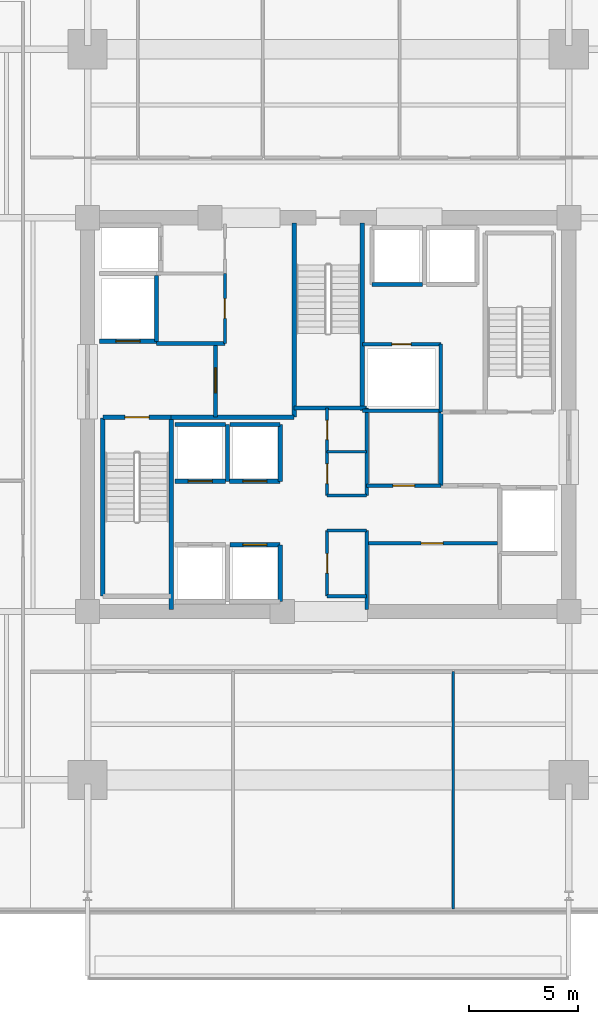
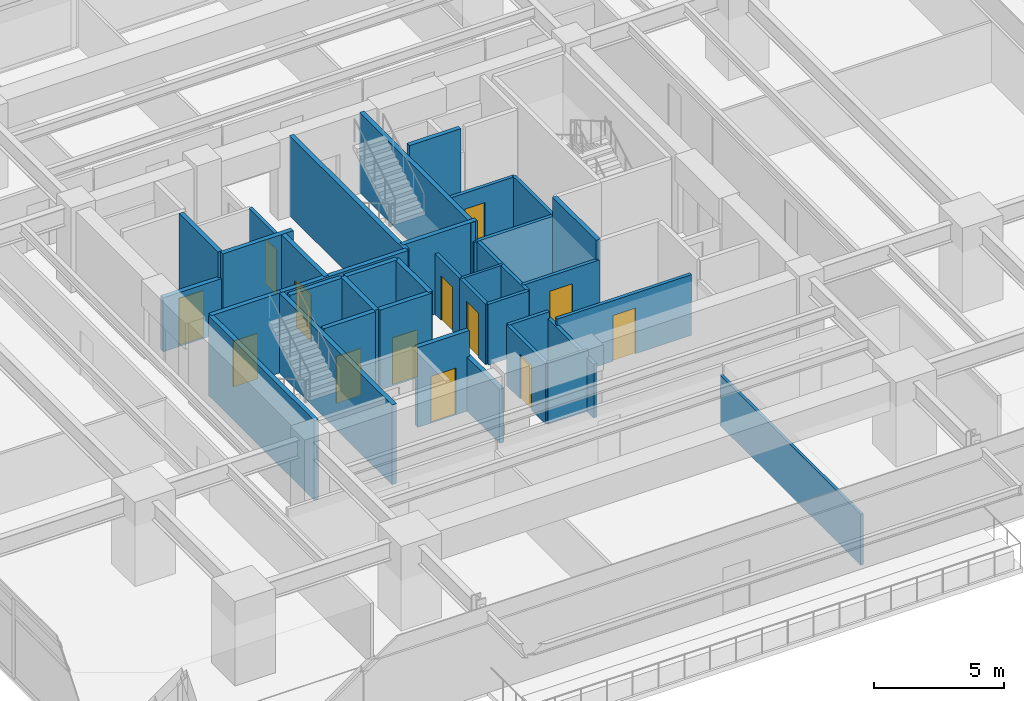
# One storey, part 16 of 23: 37 walls, 13 doors, 13 openings.
"""IFC4 building model written with IfcOpenShell, lengths in metres."""

from ifc_helpers import new_model, si_unit, direction, frame, frame_2d, origin, place, context, subcontext, project, spatial, rectangle, extrude, material, layer, layer_set, type_object, element, fill, save


model = new_model("IFC4")

# Units and contexts
model_context = context("Model", 3, precision=1e-05, world=origin(), true_north=direction((0.0, 1.0)))
body_context = subcontext(model_context, "Body", "Model", "MODEL_VIEW")
ifc_project = project(units=[si_unit("LENGTHUNIT", "METRE"), si_unit("AREAUNIT", "SQUARE_METRE"), si_unit("VOLUMEUNIT", "CUBIC_METRE"), si_unit("PLANEANGLEUNIT", "RADIAN"), si_unit("MASSUNIT", "GRAM", prefix="KILO")], contexts=[model_context])

# Site, building, storey
site_placement = place(None, origin())
site = spatial("IfcSite", under=ifc_project, at=site_placement, CompositionType="ELEMENT")
building_placement = place(site_placement, origin())
building = spatial("IfcBuilding", under=site, at=building_placement, Name="Kovane Verandah Tower", CompositionType="ELEMENT")
storey_placement = place(building_placement, frame((0.0, 0.0, 91.60009765625)))
storey = spatial("IfcBuildingStorey", under=building, at=storey_placement, Name="L21", CompositionType="ELEMENT", Elevation=91.60009765625)

# Walls
ifc_material_1 = material(Name="Fire-Rated Gypsum Stud Partition", Category="gypsum")
ifc_layer_1 = layer(ifc_material_1, 0.14990234375)
ifc_layer_set_1 = layer_set([ifc_layer_1], Name="Fire-Rated Gypsum Stud Partition")
wall_type_1 = type_object("IfcWallType", Name="WL-COR-150", PredefinedType="PARTITIONING", material=ifc_layer_set_1)
for number, where, z_axis, x_axis, name in (
    (1, (39.949951171875, 19.199951171875, 0.0), (0.0, 0.0, 1.0), (1.0, 0.0, 0.0), "L21 Central Core Strip South Wall"),
    (2, (39.949951171875, 22.199951171875, 0.0), (0.0, 0.0, 1.0), (1.0, 0.0, 0.0), "L21 Core Cross-Passage South Wall"),
    (3, (39.949951171875, 23.800048828125, 0.0), (0.0, 0.0, 1.0), (1.0, 0.0, 0.0), "L21 Core Cross-Passage North Wall"),
):
    element("IfcWall", number, at=place(storey_placement, frame(where, z_axis=z_axis, x_axis=x_axis)), inside=storey, type_object=wall_type_1, Name=name, PredefinedType="PARTITIONING", context=body_context, shape_type="SweptSolid", body=[
        extrude(rectangle(XDim=1.81005859375, YDim=0.14990234375, at=frame_2d((0.905029296875, 0.0))), origin(), (0.0, 0.0, 1.0), 2.849853515625),
    ])
wall_1_placement = place(storey_placement, frame((41.760009765625, 18.60009765625, 0.0), z_axis=(0.0, 0.0, 1.0), x_axis=(0.0, 1.0, 0.0)))
element("IfcWall", 4, at=wall_1_placement, inside=storey, type_object=wall_type_1, Name="L21 Central Core Strip Lower East Wall", PredefinedType="PARTITIONING", context=body_context, shape_type="SweptSolid", body=[
    extrude(rectangle(XDim=3.599853515625, YDim=0.14990234375, at=frame_2d((1.7998046875, 0.0))), origin(), (0.0, 0.0, 1.0), 2.539794921875),
])
wall_2_placement = place(storey_placement, frame((41.760009765625, 23.800048828125, 0.0), z_axis=(0.0, 0.0, 1.0), x_axis=(0.0, 1.0, 0.0)))
element("IfcWall", 5, at=wall_2_placement, inside=storey, type_object=wall_type_1, Name="L21 Central Core Strip Upper East Wall", PredefinedType="PARTITIONING", context=body_context, shape_type="SweptSolid", body=[
    extrude(rectangle(XDim=4.0, YDim=0.14990234375, at=frame_2d((2.0, 0.0))), origin(), (0.0, 0.0, 1.0), 2.849853515625),
])

# Wall, opening, door
wall_3_placement = place(storey_placement, frame((39.949951171875, 19.199951171875, 0.0), z_axis=(0.0, 0.0, 1.0), x_axis=(0.0, 1.0, 0.0)))
wall_3 = element("IfcWall", 6, at=wall_3_placement, inside=storey, type_object=wall_type_1, Name="L21 Male Toilet Partition", PredefinedType="PARTITIONING", context=body_context, shape_type="SweptSolid", body=[
    extrude(rectangle(XDim=3.0, YDim=0.14990234375, at=frame_2d((1.5, 0.0))), origin(), (0.0, 0.0, 1.0), 2.849853515625),
])
opening_1_placement = place(wall_3_placement, frame((1.050048828125, 0.0, 0.0)))
opening_1 = element("IfcOpeningElement", 7, at=opening_1_placement, cuts=wall_3, Name="Opening DR-L21-028", PredefinedType="OPENING", context=body_context, shape_type="SweptSolid", body=[
    extrude(rectangle(XDim=0.89990234375, YDim=2.10009765625, at=frame_2d((0.449951171875, 1.050048828125))), frame((0.0, 0.074951171875, 0.0), z_axis=(0.0, -1.0, 0.0), x_axis=(1.0, 0.0, 0.0)), (0.0, 0.0, 1.0), 0.14990234375),
])
ifc_material_2 = material(Name="Moisture-Resistant Laminate Washroom Door", Category="wood")
door_type_1 = type_object("IfcDoorType", Name="DR-WC-900", OperationType="SINGLE_SWING_LEFT", PredefinedType="DOOR", material=ifc_material_2)
door_1_placement = place(opening_1_placement, origin())
door_1 = element("IfcDoor", 8, at=door_1_placement, inside=storey, type_object=door_type_1, Name="L21 Male Toilet Door", OperationType="SINGLE_SWING_LEFT", OverallHeight=2.10009765625, OverallWidth=0.89990234375, PredefinedType="DOOR", context=body_context, shape_type="SweptSolid", body=[
    extrude(rectangle(XDim=0.89990234375, YDim=2.10009765625, at=frame_2d((0.449951171875, 1.050048828125))), frame((0.0, 0.02490234375, 0.0), z_axis=(0.0, -1.0, 0.0), x_axis=(1.0, 0.0, 0.0)), (0.0, 0.0, 1.0), 0.050048828125),
])
fill(opening_1, door_1)

wall_4_placement = place(storey_placement, frame((39.949951171875, 23.800048828125, 0.0), z_axis=(0.0, 0.0, 1.0), x_axis=(0.0, 1.0, 0.0)))
wall_4 = element("IfcWall", 9, at=wall_4_placement, inside=storey, type_object=wall_type_1, Name="L21 Female Toilet Partition", PredefinedType="PARTITIONING", context=body_context, shape_type="SweptSolid", body=[
    extrude(rectangle(XDim=2.0, YDim=0.14990234375, at=frame_2d((1.0, 0.0))), origin(), (0.0, 0.0, 1.0), 2.849853515625),
])
opening_2_placement = place(wall_4_placement, frame((0.550048828125, 0.0, 0.0)))
opening_2 = element("IfcOpeningElement", 10, at=opening_2_placement, cuts=wall_4, Name="Opening DR-L21-027", PredefinedType="OPENING", context=body_context, shape_type="SweptSolid", body=[
    extrude(rectangle(XDim=0.89990234375, YDim=2.10009765625, at=frame_2d((0.449951171875, 1.050048828125))), frame((0.0, 0.074951171875, 0.0), z_axis=(0.0, -1.0, 0.0), x_axis=(1.0, 0.0, 0.0)), (0.0, 0.0, 1.0), 0.14990234375),
])
door_2_placement = place(opening_2_placement, origin())
door_2 = element("IfcDoor", 11, at=door_2_placement, inside=storey, type_object=door_type_1, Name="L21 Female Toilet Door", OperationType="SINGLE_SWING_RIGHT", OverallHeight=2.10009765625, OverallWidth=0.89990234375, PredefinedType="DOOR", context=body_context, shape_type="SweptSolid", body=[
    extrude(rectangle(XDim=0.89990234375, YDim=2.10009765625, at=frame_2d((0.449951171875, 1.050048828125))), frame((0.0, 0.02490234375, 0.0), z_axis=(0.0, -1.0, 0.0), x_axis=(1.0, 0.0, 0.0)), (0.0, 0.0, 1.0), 0.050048828125),
])
fill(opening_2, door_2)

wall_5_placement = place(storey_placement, frame((39.949951171875, 25.800048828125, 0.0), z_axis=(0.0, 0.0, 1.0), x_axis=(0.0, 1.0, 0.0)))
wall_5 = element("IfcWall", 12, at=wall_5_placement, inside=storey, type_object=wall_type_1, Name="L21 Telecom and BMS Riser Room Partition", PredefinedType="PARTITIONING", context=body_context, shape_type="SweptSolid", body=[
    extrude(rectangle(XDim=2.0, YDim=0.14990234375, at=frame_2d((1.0, 0.0))), origin(), (0.0, 0.0, 1.0), 2.849853515625),
])
opening_3_placement = place(wall_5_placement, frame((0.56005859375, 0.0, 0.0)))
opening_3 = element("IfcOpeningElement", 13, at=opening_3_placement, cuts=wall_5, Name="Opening DR-L21-025", PredefinedType="OPENING", context=body_context, shape_type="SweptSolid", body=[
    extrude(rectangle(XDim=0.8798828125, YDim=2.10009765625, at=frame_2d((0.43994140625, 1.050048828125))), frame((0.0, 0.074951171875, 0.0), z_axis=(0.0, -1.0, 0.0), x_axis=(1.0, 0.0, 0.0)), (0.0, 0.0, 1.0), 0.14990234375),
])
ifc_material_3 = material(Name="Fire-Rated Steel Riser Access Door", Category="steel")
door_type_2 = type_object("IfcDoorType", Name="DR-RISER-880", OperationType="SINGLE_SWING_LEFT", PredefinedType="DOOR", material=ifc_material_3)
door_3_placement = place(opening_3_placement, origin())
door_3 = element("IfcDoor", 14, at=door_3_placement, inside=storey, type_object=door_type_2, Name="L21 Telecom and BMS Riser Room Door", OperationType="SINGLE_SWING_LEFT", OverallHeight=2.10009765625, OverallWidth=0.8798828125, PredefinedType="DOOR", context=body_context, shape_type="SweptSolid", body=[
    extrude(rectangle(XDim=0.8798828125, YDim=2.10009765625, at=frame_2d((0.43994140625, 1.050048828125))), frame((0.0, 0.02490234375, 0.0), z_axis=(0.0, -1.0, 0.0), x_axis=(1.0, 0.0, 0.0)), (0.0, 0.0, 1.0), 0.050048828125),
])
fill(opening_3, door_3)

wall_6_placement = place(storey_placement, frame((35.280029296875, 30.75, 0.0), z_axis=(0.0, 0.0, 1.0), x_axis=(0.0, 1.0, 0.0)))
wall_6 = element("IfcWall", 15, at=wall_6_placement, inside=storey, type_object=wall_type_1, Name="L21 Accessible Unisex Toilet Partition", PredefinedType="PARTITIONING", context=body_context, shape_type="SweptSolid", body=[
    extrude(rectangle(XDim=3.199951171875, YDim=0.14990234375, at=frame_2d((1.60009765625, 0.0))), origin(), (0.0, 0.0, 1.0), 2.849853515625),
])
opening_4_placement = place(wall_6_placement, frame((1.14990234375, 0.0, 0.0)))
opening_4 = element("IfcOpeningElement", 16, at=opening_4_placement, cuts=wall_6, Name="Opening DR-L21-026", PredefinedType="OPENING", context=body_context, shape_type="SweptSolid", body=[
    extrude(rectangle(XDim=0.89990234375, YDim=2.10009765625, at=frame_2d((0.449951171875, 1.050048828125))), frame((0.0, 0.074951171875, 0.0), z_axis=(0.0, -1.0, 0.0), x_axis=(1.0, 0.0, 0.0)), (0.0, 0.0, 1.0), 0.14990234375),
])
door_4_placement = place(opening_4_placement, origin())
door_4 = element("IfcDoor", 17, at=door_4_placement, inside=storey, type_object=door_type_1, Name="L21 Accessible Unisex Toilet Door", OperationType="SINGLE_SWING_LEFT", OverallHeight=2.10009765625, OverallWidth=0.89990234375, PredefinedType="DOOR", context=body_context, shape_type="SweptSolid", body=[
    extrude(rectangle(XDim=0.89990234375, YDim=2.10009765625, at=frame_2d((0.449951171875, 1.050048828125))), frame((0.0, 0.02490234375, 0.0), z_axis=(0.0, -1.0, 0.0), x_axis=(1.0, 0.0, 0.0)), (0.0, 0.0, 1.0), 0.050048828125),
])
fill(opening_4, door_4)

# Wall
wall_7_placement = place(storey_placement, frame((41.56005859375, 27.679931640625, 0.0), z_axis=(0.0, 0.0, 1.0), x_axis=(1.0, 0.0, 0.0)))
element("IfcWall", 18, at=wall_7_placement, inside=storey, type_object=wall_type_1, Name="L21 East Core Service Riser South Wall", PredefinedType="PARTITIONING", context=body_context, shape_type="SweptSolid", body=[
    extrude(rectangle(XDim=3.58984375, YDim=0.14990234375, at=frame_2d((1.794921875, 0.0))), origin(), (0.0, 0.0, 1.0), 2.849853515625),
])

# Wall, opening, door
wall_8_placement = place(storey_placement, frame((41.760009765625, 21.6201171875, 0.0), z_axis=(0.0, 0.0, 1.0), x_axis=(1.0, 0.0, 0.0)))
wall_8 = element("IfcWall", 19, at=wall_8_placement, inside=storey, type_object=wall_type_1, Name="L21 Records Vault Room Partition", PredefinedType="PARTITIONING", context=body_context, shape_type="SweptSolid", body=[
    extrude(rectangle(XDim=5.97998046875, YDim=0.14990234375, at=frame_2d((2.989990234375, 0.0))), origin(), (0.0, 0.0, 1.0), 2.849853515625),
])
opening_5_placement = place(wall_8_placement, frame((2.489990234375, 0.0, 0.0)))
opening_5 = element("IfcOpeningElement", 20, at=opening_5_placement, cuts=wall_8, Name="Opening DR-L21-014", PredefinedType="OPENING", context=body_context, shape_type="SweptSolid", body=[
    extrude(rectangle(XDim=1.0, YDim=2.14990234375, at=frame_2d((0.5, 1.074951171875))), frame((0.0, 0.074951171875, 0.0), z_axis=(0.0, -1.0, 0.0), x_axis=(1.0, 0.0, 0.0)), (0.0, 0.0, 1.0), 0.14990234375),
])
ifc_material_4 = material(Name="FSC Spotted-Gum Timber Fire-Rated Office Door", Category="wood")
door_type_3 = type_object("IfcDoorType", Name="DR-OFF-1000", OperationType="SINGLE_SWING_LEFT", PredefinedType="DOOR", material=ifc_material_4)
door_5_placement = place(opening_5_placement, origin())
door_5 = element("IfcDoor", 21, at=door_5_placement, inside=storey, type_object=door_type_3, Name="L21 Records Vault Room Door", OperationType="SINGLE_SWING_RIGHT", OverallHeight=2.14990234375, OverallWidth=1.0, PredefinedType="DOOR", context=body_context, shape_type="SweptSolid", body=[
    extrude(rectangle(XDim=1.0, YDim=2.14990234375, at=frame_2d((0.5, 1.074951171875))), frame((0.0, 0.02490234375, 0.0), z_axis=(0.0, -1.0, 0.0), x_axis=(1.0, 0.0, 0.0)), (0.0, 0.0, 1.0), 0.050048828125),
])
fill(opening_5, door_5)

wall_9_placement = place(storey_placement, frame((41.760009765625, 24.25, 0.0), z_axis=(0.0, 0.0, 1.0), x_axis=(1.0, 0.0, 0.0)))
wall_9 = element("IfcWall", 22, at=wall_9_placement, inside=storey, type_object=wall_type_1, Name="L21 Document Archive Room Partition", PredefinedType="PARTITIONING", context=body_context, shape_type="SweptSolid", body=[
    extrude(rectangle(XDim=3.389892578125, YDim=0.14990234375, at=frame_2d((1.69482421875, 0.0))), origin(), (0.0, 0.0, 1.0), 2.849853515625),
])
opening_6_placement = place(wall_9_placement, frame((1.195068359375, 0.0, 0.0)))
opening_6 = element("IfcOpeningElement", 23, at=opening_6_placement, cuts=wall_9, Name="Opening DR-L21-015", PredefinedType="OPENING", context=body_context, shape_type="SweptSolid", body=[
    extrude(rectangle(XDim=1.0, YDim=2.14990234375, at=frame_2d((0.5, 1.074951171875))), frame((0.0, 0.074951171875, 0.0), z_axis=(0.0, -1.0, 0.0), x_axis=(1.0, 0.0, 0.0)), (0.0, 0.0, 1.0), 0.14990234375),
])
door_6_placement = place(opening_6_placement, origin())
door_6 = element("IfcDoor", 24, at=door_6_placement, inside=storey, type_object=door_type_3, Name="L21 Document Archive Room Door", OperationType="SINGLE_SWING_LEFT", OverallHeight=2.14990234375, OverallWidth=1.0, PredefinedType="DOOR", context=body_context, shape_type="SweptSolid", body=[
    extrude(rectangle(XDim=1.0, YDim=2.14990234375, at=frame_2d((0.5, 1.074951171875))), frame((0.0, 0.02490234375, 0.0), z_axis=(0.0, -1.0, 0.0), x_axis=(1.0, 0.0, 0.0)), (0.0, 0.0, 1.0), 0.050048828125),
])
fill(opening_6, door_6)

# Wall
wall_10_placement = place(storey_placement, frame((45.14990234375, 27.6201171875, 0.0), z_axis=(0.0, 0.0, 1.0), x_axis=(0.0, 1.0, 0.0)))
element("IfcWall", 25, at=wall_10_placement, inside=storey, type_object=wall_type_1, Name="L21 East Core Service Riser East Wall", PredefinedType="PARTITIONING", context=body_context, shape_type="SweptSolid", body=[
    extrude(rectangle(XDim=3.099853515625, YDim=0.14990234375, at=frame_2d((1.5498046875, 0.0))), origin(), (0.0, 0.0, 1.0), 2.849853515625),
])

# Wall, opening, door
wall_11_placement = place(storey_placement, frame((41.56005859375, 30.719970703125, 0.0), z_axis=(0.0, 0.0, 1.0), x_axis=(1.0, 0.0, 0.0)))
wall_11 = element("IfcWall", 26, at=wall_11_placement, inside=storey, type_object=wall_type_1, Name="L21 Combined Chilled Water and Smoke Duct Room Partition", PredefinedType="PARTITIONING", context=body_context, shape_type="SweptSolid", body=[
    extrude(rectangle(XDim=3.58984375, YDim=0.14990234375, at=frame_2d((1.794921875, 0.0))), origin(), (0.0, 0.0, 1.0), 2.849853515625),
])
opening_7_placement = place(wall_11_placement, frame((1.35498046875, 0.0, 0.0)))
opening_7 = element("IfcOpeningElement", 27, at=opening_7_placement, cuts=wall_11, Name="Opening DR-L21-016", PredefinedType="OPENING", context=body_context, shape_type="SweptSolid", body=[
    extrude(rectangle(XDim=0.8798828125, YDim=2.10009765625, at=frame_2d((0.43994140625, 1.050048828125))), frame((0.0, 0.074951171875, 0.0), z_axis=(0.0, -1.0, 0.0), x_axis=(1.0, 0.0, 0.0)), (0.0, 0.0, 1.0), 0.14990234375),
])
door_7_placement = place(opening_7_placement, origin())
door_7 = element("IfcDoor", 28, at=door_7_placement, inside=storey, type_object=door_type_2, Name="L21 Combined Chilled Water and Smoke Duct Room Door", OperationType="SINGLE_SWING_RIGHT", OverallHeight=2.10009765625, OverallWidth=0.8798828125, PredefinedType="DOOR", context=body_context, shape_type="SweptSolid", body=[
    extrude(rectangle(XDim=0.8798828125, YDim=2.10009765625, at=frame_2d((0.43994140625, 1.050048828125))), frame((0.0, 0.02490234375, 0.0), z_axis=(0.0, -1.0, 0.0), x_axis=(1.0, 0.0, 0.0)), (0.0, 0.0, 1.0), 0.050048828125),
])
fill(opening_7, door_7)

ifc_material_5 = material(Name="Concrete C45/55 Fire Wall", Category="concrete")
ifc_layer_2 = layer(ifc_material_5, 0.199951171875)
ifc_layer_set_2 = layer_set([ifc_layer_2], Name="Concrete C45/55 Fire Wall")
wall_type_2 = type_object("IfcWallType", Name="WL-FFL-200", PredefinedType="PARTITIONING", material=ifc_layer_set_2)
wall_12_placement = place(storey_placement, frame((34.85009765625, 27.3798828125, 0.0), z_axis=(0.0, 0.0, 1.0), x_axis=(0.0, 1.0, 0.0)))
wall_12 = element("IfcWall", 29, at=wall_12_placement, inside=storey, type_object=wall_type_2, Name="W-L21-FFLW-E", PredefinedType="PARTITIONING", context=body_context, shape_type="SweptSolid", body=[
    extrude(rectangle(XDim=3.3701171875, YDim=0.199951171875, at=frame_2d((1.68505859375, 0.0))), origin(), (0.0, 0.0, 1.0), 3.760009765625),
])
opening_8_placement = place(wall_12_placement, frame((1.110107421875, 0.0, 0.0)))
opening_8 = element("IfcOpeningElement", 30, at=opening_8_placement, cuts=wall_12, Name="Opening DR-L21-006", PredefinedType="OPENING", context=body_context, shape_type="SweptSolid", body=[
    extrude(rectangle(XDim=1.14990234375, YDim=2.199951171875, at=frame_2d((0.574951171875, 1.10009765625))), frame((0.0, 0.10009765625, 0.0), z_axis=(0.0, -1.0, 0.0), x_axis=(1.0, 0.0, 0.0)), (0.0, 0.0, 1.0), 0.199951171875),
])
ifc_material_6 = material(Name="Smoke-Sealed Firefighting Lobby Door", Category="steel")
door_type_4 = type_object("IfcDoorType", Name="DR-FFL-1150", OperationType="SINGLE_SWING_LEFT", PredefinedType="DOOR", material=ifc_material_6)
door_8_placement = place(opening_8_placement, origin())
door_8 = element("IfcDoor", 31, at=door_8_placement, inside=storey, type_object=door_type_4, Name="L21 West Firefighting Lobby Inner Door", OperationType="SINGLE_SWING_LEFT", OverallHeight=2.199951171875, OverallWidth=1.14990234375, PredefinedType="DOOR", context=body_context, shape_type="SweptSolid", body=[
    extrude(rectangle(XDim=1.14990234375, YDim=2.199951171875, at=frame_2d((0.574951171875, 1.10009765625))), frame((0.0, 0.02490234375, 0.0), z_axis=(0.0, -1.0, 0.0), x_axis=(1.0, 0.0, 0.0)), (0.0, 0.0, 1.0), 0.050048828125),
])
fill(opening_8, door_8)

# Walls
wall_13_placement = place(storey_placement, frame((32.820068359375, 27.3798828125, 0.0), z_axis=(0.0, 0.0, 1.0), x_axis=(1.0, 0.0, 0.0)))
element("IfcWall", 32, at=wall_13_placement, inside=storey, type_object=wall_type_2, Name="L21 West Firefighting Lobby South Fire Wall", PredefinedType="PARTITIONING", context=body_context, shape_type="SweptSolid", body=[
    extrude(rectangle(XDim=5.619873046875, YDim=0.199951171875, at=frame_2d((2.81005859375, 0.0))), origin(), (0.0, 0.0, 1.0), 3.760009765625),
])
wall_14_placement = place(storey_placement, frame((32.14990234375, 30.75, 0.0), z_axis=(0.0, 0.0, 1.0), x_axis=(1.0, 0.0, 0.0)))
element("IfcWall", 33, at=wall_14_placement, inside=storey, type_object=wall_type_2, Name="L21 West Firefighting Lobby North Fire Wall", PredefinedType="PARTITIONING", context=body_context, shape_type="SweptSolid", body=[
    extrude(rectangle(XDim=3.130126953125, YDim=0.199951171875, at=frame_2d((1.56494140625, 0.0))), origin(), (0.0, 0.0, 1.0), 3.760009765625),
])
wall_15_placement = place(storey_placement, frame((45.14990234375, 24.25, 0.0), z_axis=(0.0, 0.0, 1.0), x_axis=(0.0, 1.0, 0.0)))
element("IfcWall", 34, at=wall_15_placement, inside=storey, type_object=wall_type_2, Name="L21 East Firefighting Lobby West Fire Wall", PredefinedType="PARTITIONING", context=body_context, shape_type="SweptSolid", body=[
    extrude(rectangle(XDim=3.3701171875, YDim=0.199951171875, at=frame_2d((1.68505859375, 0.0))), origin(), (0.0, 0.0, 1.0), 3.760009765625),
])

# Wall, opening, door
ifc_material_7 = material(Name="Concrete C45/55 Lift Shaft Wall", Category="concrete")
ifc_layer_3 = layer(ifc_material_7, 0.199951171875)
ifc_layer_set_3 = layer_set([ifc_layer_3], Name="Concrete C45/55 Lift Shaft Wall")
wall_type_3 = type_object("IfcWallType", Name="WL-LIFT-200", PredefinedType="SOLIDWALL", material=ifc_layer_set_3)
wall_16_placement = place(storey_placement, frame((29.550048828125, 30.85009765625, 0.0), z_axis=(0.0, 0.0, 1.0), x_axis=(1.0, 0.0, 0.0)))
wall_16 = element("IfcWall", 35, at=wall_16_placement, inside=storey, type_object=wall_type_3, Name="L21 Lift FL-01 S Shaft Wall", PredefinedType="SOLIDWALL", context=body_context, shape_type="SweptSolid", body=[
    extrude(rectangle(XDim=2.599853515625, YDim=0.199951171875, at=frame_2d((1.2998046875, 0.0))), origin(), (0.0, 0.0, 1.0), 2.539794921875),
])
opening_9_placement = place(wall_16_placement, frame((0.75, 0.0, 0.0)))
opening_9 = element("IfcOpeningElement", 36, at=opening_9_placement, cuts=wall_16, Name="Opening LD-L21-001", PredefinedType="OPENING", context=body_context, shape_type="SweptSolid", body=[
    extrude(rectangle(XDim=1.10009765625, YDim=2.199951171875, at=frame_2d((0.550048828125, 1.10009765625))), frame((0.0, 0.10009765625, 0.0), z_axis=(0.0, -1.0, 0.0), x_axis=(1.0, 0.0, 0.0)), (0.0, 0.0, 1.0), 0.199951171875),
])
ifc_material_8 = material(Name="Brushed Stainless Steel Sliding Lift Landing Door", Category="steel")
door_type_5 = type_object("IfcDoorType", Name="DR-LIFT-1100", OperationType="SLIDING_TO_RIGHT", PredefinedType="DOOR", material=ifc_material_8)
door_9_placement = place(opening_9_placement, origin())
door_9 = element("IfcDoor", 37, at=door_9_placement, inside=storey, type_object=door_type_5, Name="L21 Lift FL-01 Sliding Landing Door", OperationType="SLIDING_TO_RIGHT", OverallHeight=2.199951171875, OverallWidth=1.10009765625, PredefinedType="DOOR", context=body_context, shape_type="SweptSolid", body=[
    extrude(rectangle(XDim=1.10009765625, YDim=2.199951171875, at=frame_2d((0.550048828125, 1.10009765625))), frame((0.0, 0.02490234375, 0.0), z_axis=(0.0, -1.0, 0.0), x_axis=(1.0, 0.0, 0.0)), (0.0, 0.0, 1.0), 0.050048828125),
])
fill(opening_9, door_9)

# Wall
wall_17_placement = place(storey_placement, frame((32.14990234375, 30.85009765625, 0.0), z_axis=(0.0, 0.0, 1.0), x_axis=(0.0, 1.0, 0.0)))
element("IfcWall", 38, at=wall_17_placement, inside=storey, type_object=wall_type_3, Name="L21 Lift FL-01 E Shaft Wall", PredefinedType="SOLIDWALL", context=body_context, shape_type="SweptSolid", body=[
    extrude(rectangle(XDim=3.0, YDim=0.199951171875, at=frame_2d((1.5, 0.0))), origin(), (0.0, 0.0, 1.0), 3.760009765625),
])

# Wall, opening, door
wall_18_placement = place(storey_placement, frame((37.800048828125, 21.550048828125, 0.0), z_axis=(0.0, 0.0, 1.0), x_axis=(-1.0, 0.0, 0.0)))
wall_18 = element("IfcWall", 39, at=wall_18_placement, inside=storey, type_object=wall_type_3, Name="L21 Lift PL-L2 N Shaft Wall", PredefinedType="SOLIDWALL", context=body_context, shape_type="SweptSolid", body=[
    extrude(rectangle(XDim=2.300048828125, YDim=0.199951171875, at=frame_2d((1.14990234375, 0.0))), origin(), (0.0, 0.0, 1.0), 3.760009765625),
])
opening_10_placement = place(wall_18_placement, frame((0.60009765625, 0.0, 0.0)))
opening_10 = element("IfcOpeningElement", 40, at=opening_10_placement, cuts=wall_18, Name="Opening LD-L21-005", PredefinedType="OPENING", context=body_context, shape_type="SweptSolid", body=[
    extrude(rectangle(XDim=1.10009765625, YDim=2.199951171875, at=frame_2d((0.550048828125, 1.10009765625))), frame((0.0, 0.10009765625, 0.0), z_axis=(0.0, -1.0, 0.0), x_axis=(1.0, 0.0, 0.0)), (0.0, 0.0, 1.0), 0.199951171875),
])
door_10_placement = place(opening_10_placement, origin())
door_10 = element("IfcDoor", 41, at=door_10_placement, inside=storey, type_object=door_type_5, Name="L21 Lift PL-L2 Sliding Landing Door", OperationType="SLIDING_TO_RIGHT", OverallHeight=2.199951171875, OverallWidth=1.10009765625, PredefinedType="DOOR", context=body_context, shape_type="SweptSolid", body=[
    extrude(rectangle(XDim=1.10009765625, YDim=2.199951171875, at=frame_2d((0.550048828125, 1.10009765625))), frame((0.0, 0.02490234375, 0.0), z_axis=(0.0, -1.0, 0.0), x_axis=(1.0, 0.0, 0.0)), (0.0, 0.0, 1.0), 0.050048828125),
])
fill(opening_10, door_10)

# Wall
wall_19_placement = place(storey_placement, frame((37.800048828125, 18.949951171875, 0.0), z_axis=(0.0, 0.0, 1.0), x_axis=(0.0, 1.0, 0.0)))
element("IfcWall", 42, at=wall_19_placement, inside=storey, type_object=wall_type_3, Name="L21 Lift PL-L2 E Shaft Wall", PredefinedType="SOLIDWALL", context=body_context, shape_type="SweptSolid", body=[
    extrude(rectangle(XDim=2.60009765625, YDim=0.199951171875, at=frame_2d((1.300048828125, 0.0))), origin(), (0.0, 0.0, 1.0), 2.539794921875),
])

# Wall, opening, door
wall_20_placement = place(storey_placement, frame((33.0, 24.449951171875, 0.0), z_axis=(0.0, 0.0, 1.0), x_axis=(1.0, 0.0, 0.0)))
wall_20 = element("IfcWall", 43, at=wall_20_placement, inside=storey, type_object=wall_type_3, Name="L21 Lift PL-L3 S Shaft Wall", PredefinedType="SOLIDWALL", context=body_context, shape_type="SweptSolid", body=[
    extrude(rectangle(XDim=2.300048828125, YDim=0.199951171875, at=frame_2d((1.14990234375, 0.0))), origin(), (0.0, 0.0, 1.0), 3.760009765625),
])
opening_11_placement = place(wall_20_placement, frame((0.60009765625, 0.0, 0.0)))
opening_11 = element("IfcOpeningElement", 44, at=opening_11_placement, cuts=wall_20, Name="Opening LD-L21-006", PredefinedType="OPENING", context=body_context, shape_type="SweptSolid", body=[
    extrude(rectangle(XDim=1.10009765625, YDim=2.199951171875, at=frame_2d((0.550048828125, 1.10009765625))), frame((0.0, 0.10009765625, 0.0), z_axis=(0.0, -1.0, 0.0), x_axis=(1.0, 0.0, 0.0)), (0.0, 0.0, 1.0), 0.199951171875),
])
door_11_placement = place(opening_11_placement, origin())
door_11 = element("IfcDoor", 45, at=door_11_placement, inside=storey, type_object=door_type_5, Name="L21 Lift PL-L3 Sliding Landing Door", OperationType="SLIDING_TO_RIGHT", OverallHeight=2.199951171875, OverallWidth=1.10009765625, PredefinedType="DOOR", context=body_context, shape_type="SweptSolid", body=[
    extrude(rectangle(XDim=1.10009765625, YDim=2.199951171875, at=frame_2d((0.550048828125, 1.10009765625))), frame((0.0, 0.02490234375, 0.0), z_axis=(0.0, -1.0, 0.0), x_axis=(1.0, 0.0, 0.0)), (0.0, 0.0, 1.0), 0.050048828125),
])
fill(opening_11, door_11)

# Walls
wall_21_placement = place(storey_placement, frame((35.300048828125, 27.050048828125, 0.0), z_axis=(0.0, 0.0, 1.0), x_axis=(-1.0, 0.0, 0.0)))
element("IfcWall", 46, at=wall_21_placement, inside=storey, type_object=wall_type_3, Name="L21 Lift PL-L3 N Shaft Wall", PredefinedType="SOLIDWALL", context=body_context, shape_type="SweptSolid", body=[
    extrude(rectangle(XDim=2.300048828125, YDim=0.199951171875, at=frame_2d((1.14990234375, 0.0))), origin(), (0.0, 0.0, 1.0), 3.760009765625),
])
wall_22_placement = place(storey_placement, frame((35.39990234375, 24.449951171875, 0.0), z_axis=(0.0, 0.0, 1.0), x_axis=(0.0, 1.0, 0.0)))
element("IfcWall", 47, at=wall_22_placement, inside=storey, type_object=wall_type_3, Name="L21 Lift PL-L3 and PL-L4 Shared Shaft Wall", PredefinedType="SOLIDWALL", context=body_context, shape_type="SweptSolid", body=[
    extrude(rectangle(XDim=2.60009765625, YDim=0.199951171875, at=frame_2d((1.300048828125, 0.0))), origin(), (0.0, 0.0, 1.0), 3.760009765625),
])

# Wall, opening, door
wall_23_placement = place(storey_placement, frame((35.5, 24.449951171875, 0.0), z_axis=(0.0, 0.0, 1.0), x_axis=(1.0, 0.0, 0.0)))
wall_23 = element("IfcWall", 48, at=wall_23_placement, inside=storey, type_object=wall_type_3, Name="L21 Lift PL-L4 S Shaft Wall", PredefinedType="SOLIDWALL", context=body_context, shape_type="SweptSolid", body=[
    extrude(rectangle(XDim=2.300048828125, YDim=0.199951171875, at=frame_2d((1.14990234375, 0.0))), origin(), (0.0, 0.0, 1.0), 3.760009765625),
])
opening_12_placement = place(wall_23_placement, frame((0.60009765625, 0.0, 0.0)))
opening_12 = element("IfcOpeningElement", 49, at=opening_12_placement, cuts=wall_23, Name="Opening LD-L21-007", PredefinedType="OPENING", context=body_context, shape_type="SweptSolid", body=[
    extrude(rectangle(XDim=1.10009765625, YDim=2.199951171875, at=frame_2d((0.550048828125, 1.10009765625))), frame((0.0, 0.10009765625, 0.0), z_axis=(0.0, -1.0, 0.0), x_axis=(1.0, 0.0, 0.0)), (0.0, 0.0, 1.0), 0.199951171875),
])
door_12_placement = place(opening_12_placement, origin())
door_12 = element("IfcDoor", 50, at=door_12_placement, inside=storey, type_object=door_type_5, Name="L21 Lift PL-L4 Sliding Landing Door", OperationType="SLIDING_TO_RIGHT", OverallHeight=2.199951171875, OverallWidth=1.10009765625, PredefinedType="DOOR", context=body_context, shape_type="SweptSolid", body=[
    extrude(rectangle(XDim=1.10009765625, YDim=2.199951171875, at=frame_2d((0.550048828125, 1.10009765625))), frame((0.0, 0.02490234375, 0.0), z_axis=(0.0, -1.0, 0.0), x_axis=(1.0, 0.0, 0.0)), (0.0, 0.0, 1.0), 0.050048828125),
])
fill(opening_12, door_12)

# Walls
wall_24_placement = place(storey_placement, frame((37.800048828125, 27.050048828125, 0.0), z_axis=(0.0, 0.0, 1.0), x_axis=(-1.0, 0.0, 0.0)))
element("IfcWall", 51, at=wall_24_placement, inside=storey, type_object=wall_type_3, Name="L21 Lift PL-L4 N Shaft Wall", PredefinedType="SOLIDWALL", context=body_context, shape_type="SweptSolid", body=[
    extrude(rectangle(XDim=2.300048828125, YDim=0.199951171875, at=frame_2d((1.14990234375, 0.0))), origin(), (0.0, 0.0, 1.0), 3.760009765625),
])
wall_25_placement = place(storey_placement, frame((37.800048828125, 24.449951171875, 0.0), z_axis=(0.0, 0.0, 1.0), x_axis=(0.0, 1.0, 0.0)))
element("IfcWall", 52, at=wall_25_placement, inside=storey, type_object=wall_type_3, Name="L21 Lift PL-L4 E Shaft Wall", PredefinedType="SOLIDWALL", context=body_context, shape_type="SweptSolid", body=[
    extrude(rectangle(XDim=2.60009765625, YDim=0.199951171875, at=frame_2d((1.300048828125, 0.0))), origin(), (0.0, 0.0, 1.0), 3.760009765625),
])
wall_26_placement = place(storey_placement, frame((42.0, 33.449951171875, 0.0), z_axis=(0.0, 0.0, 1.0), x_axis=(1.0, 0.0, 0.0)))
element("IfcWall", 53, at=wall_26_placement, inside=storey, type_object=wall_type_3, Name="L21 Lift SL-01 S Shaft Wall", PredefinedType="SOLIDWALL", context=body_context, shape_type="SweptSolid", body=[
    extrude(rectangle(XDim=2.300048828125, YDim=0.199951171875, at=frame_2d((1.14990234375, 0.0))), origin(), (0.0, 0.0, 1.0), 3.760009765625),
])
ifc_material_9 = material(Name="Acoustic Fire-Rated Gypsum Partition", Category="gypsum")
ifc_layer_4 = layer(ifc_material_9, 0.1201171875)
ifc_layer_set_4 = layer_set([ifc_layer_4], Name="Acoustic Fire-Rated Gypsum Partition")
wall_type_4 = type_object("IfcWallType", Name="WL-PART-120", PredefinedType="PARTITIONING", material=ifc_layer_set_4)
wall_27_placement = place(storey_placement, frame((39.949951171875, 25.800048828125, 0.0), z_axis=(0.0, 0.0, 1.0), x_axis=(1.0, 0.0, 0.0)))
element("IfcWall", 54, at=wall_27_placement, inside=storey, type_object=wall_type_4, Name="L21 Central Core Strip Upper Dividing Partition", PredefinedType="PARTITIONING", context=body_context, shape_type="SweptSolid", body=[
    extrude(rectangle(XDim=1.81005859375, YDim=0.1201171875, at=frame_2d((0.905029296875, 0.0))), origin(), (0.0, 0.0, 1.0), 2.849853515625),
])
wall_28_placement = place(storey_placement, frame((45.7119140625, 4.905029296875, 0.0), z_axis=(0.0, 0.0, 1.0), x_axis=(0.0, 1.0, 0.0)))
element("IfcWall", 55, at=wall_28_placement, inside=storey, type_object=wall_type_4, Name="L21 Meeting Room S2 Dividing Partition", PredefinedType="PARTITIONING", context=body_context, shape_type="SweptSolid", body=[
    extrude(rectangle(XDim=10.844970703125, YDim=0.1201171875, at=frame_2d((5.42236328125, 0.0))), origin(), (0.0, 0.0, 1.0), 2.389892578125),
])
ifc_material_10 = material(Name="Concrete C45/55", Category="concrete")
ifc_layer_5 = layer(ifc_material_10, 0.199951171875)
ifc_layer_set_5 = layer_set([ifc_layer_5], Name="Concrete C45/55")
wall_type_5 = type_object("IfcWallType", Name="WL-SHAFT-200", PredefinedType="SOLIDWALL", material=ifc_layer_set_5)
wall_29_placement = place(storey_placement, frame((29.699951171875, 19.199951171875, 0.0), z_axis=(0.0, 0.0, 1.0), x_axis=(0.0, 1.0, 0.0)))
element("IfcWall", 56, at=wall_29_placement, inside=storey, type_object=wall_type_5, Name="W-L21-ST01-W", PredefinedType="SOLIDWALL", context=body_context, shape_type="SweptSolid", body=[
    extrude(rectangle(XDim=8.150146484375, YDim=0.199951171875, at=frame_2d((4.0751953125, 0.0))), origin(), (0.0, 0.0, 1.0), 3.760009765625),
])
wall_30_placement = place(storey_placement, frame((32.820068359375, 18.60009765625, 0.0), z_axis=(0.0, 0.0, 1.0), x_axis=(0.0, 1.0, 0.0)))
element("IfcWall", 57, at=wall_30_placement, inside=storey, type_object=wall_type_5, Name="W-L21-ST01-E", PredefinedType="SOLIDWALL", context=body_context, shape_type="SweptSolid", body=[
    extrude(rectangle(XDim=8.77978515625, YDim=0.199951171875, at=frame_2d((4.389892578125, 0.0))), origin(), (0.0, 0.0, 1.0), 3.760009765625),
])

# Wall, opening, door
wall_31_placement = place(storey_placement, frame((29.699951171875, 27.3798828125, 0.0), z_axis=(0.0, 0.0, 1.0), x_axis=(1.0, 0.0, 0.0)))
wall_31 = element("IfcWall", 58, at=wall_31_placement, inside=storey, type_object=wall_type_5, Name="W-L21-ST01-N", PredefinedType="SOLIDWALL", context=body_context, shape_type="SweptSolid", body=[
    extrude(rectangle(XDim=3.1201171875, YDim=0.199951171875, at=frame_2d((1.56005859375, 0.0))), origin(), (0.0, 0.0, 1.0), 3.760009765625),
])
opening_13_placement = place(wall_31_placement, frame((1.010009765625, 0.0, 0.0)))
opening_13 = element("IfcOpeningElement", 59, at=opening_13_placement, cuts=wall_31, Name="Opening DR-L21-009", PredefinedType="OPENING", context=body_context, shape_type="SweptSolid", body=[
    extrude(rectangle(XDim=1.10009765625, YDim=2.14990234375, at=frame_2d((0.550048828125, 1.074951171875))), frame((0.0, 0.10009765625, 0.0), z_axis=(0.0, -1.0, 0.0), x_axis=(1.0, 0.0, 0.0)), (0.0, 0.0, 1.0), 0.199951171875),
])
ifc_material_11 = material(Name="Fire-Rated Steel Exit Door", Category="steel")
door_type_6 = type_object("IfcDoorType", Name="DR-STAIR-1100", OperationType="SINGLE_SWING_LEFT", PredefinedType="DOOR", material=ifc_material_11)
door_13_placement = place(opening_13_placement, origin())
door_13 = element("IfcDoor", 60, at=door_13_placement, inside=storey, type_object=door_type_6, Name="L21 ST-01 Fire Exit Stair Door", OperationType="SINGLE_SWING_RIGHT", OverallHeight=2.14990234375, OverallWidth=1.10009765625, PredefinedType="DOOR", context=body_context, shape_type="SweptSolid", body=[
    extrude(rectangle(XDim=1.10009765625, YDim=2.14990234375, at=frame_2d((0.550048828125, 1.074951171875))), frame((0.0, 0.02490234375, 0.0), z_axis=(0.0, -1.0, 0.0), x_axis=(1.0, 0.0, 0.0)), (0.0, 0.0, 1.0), 0.050048828125),
])
fill(opening_13, door_13)

# Walls
wall_32_placement = place(storey_placement, frame((38.43994140625, 27.3798828125, 0.0), z_axis=(0.0, 0.0, 1.0), x_axis=(0.0, 1.0, 0.0)))
element("IfcWall", 61, at=wall_32_placement, inside=storey, type_object=wall_type_5, Name="W-L21-ST03-W", PredefinedType="SOLIDWALL", context=body_context, shape_type="SweptSolid", body=[
    extrude(rectangle(XDim=8.8701171875, YDim=0.199951171875, at=frame_2d((4.43505859375, 0.0))), origin(), (0.0, 0.0, 1.0), 3.760009765625),
])
wall_33_placement = place(storey_placement, frame((41.56005859375, 27.679931640625, 0.0), z_axis=(0.0, 0.0, 1.0), x_axis=(0.0, 1.0, 0.0)))
element("IfcWall", 62, at=wall_33_placement, inside=storey, type_object=wall_type_5, Name="W-L21-ST03-E", PredefinedType="SOLIDWALL", context=body_context, shape_type="SweptSolid", body=[
    extrude(rectangle(XDim=8.570068359375, YDim=0.199951171875, at=frame_2d((4.28515625, 0.0))), origin(), (0.0, 0.0, 1.0), 3.760009765625),
])
wall_34_placement = place(storey_placement, frame((38.43994140625, 27.800048828125, 0.0), z_axis=(0.0, 0.0, 1.0), x_axis=(1.0, 0.0, 0.0)))
element("IfcWall", 63, at=wall_34_placement, inside=storey, type_object=wall_type_5, Name="W-L21-ST03-S", PredefinedType="SOLIDWALL", context=body_context, shape_type="SweptSolid", body=[
    extrude(rectangle(XDim=3.320068359375, YDim=0.199951171875, at=frame_2d((1.66015625, 0.0))), origin(), (0.0, 0.0, 1.0), 3.760009765625),
])

save(model, "model.ifc")
